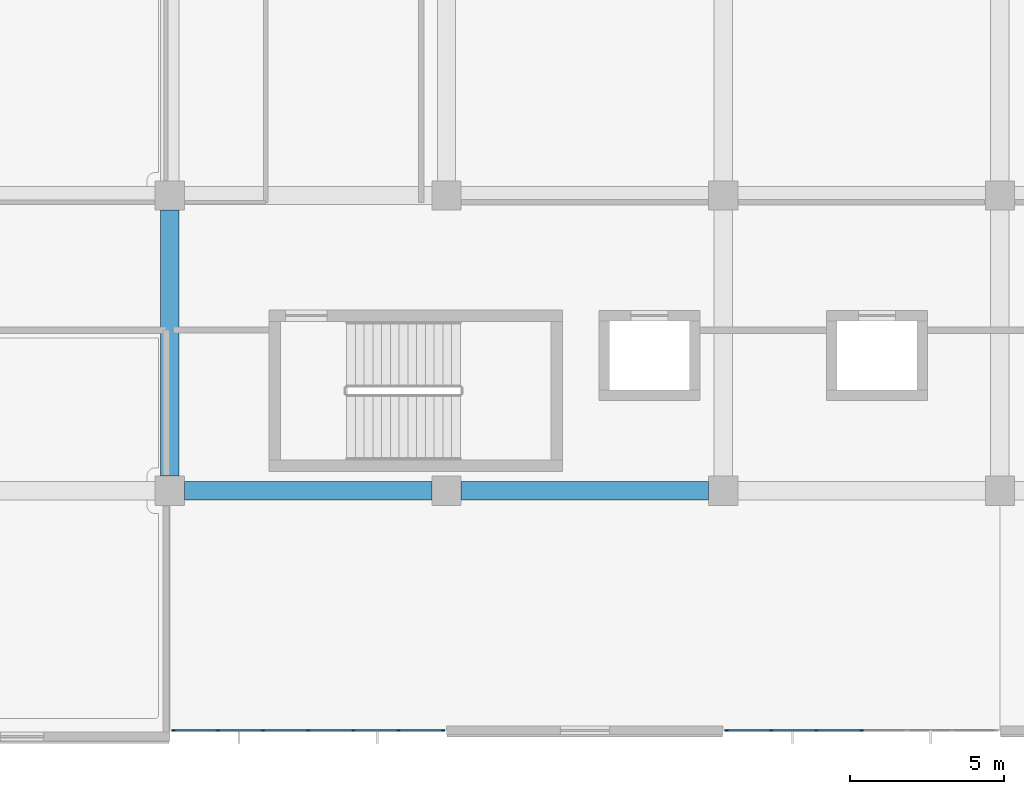
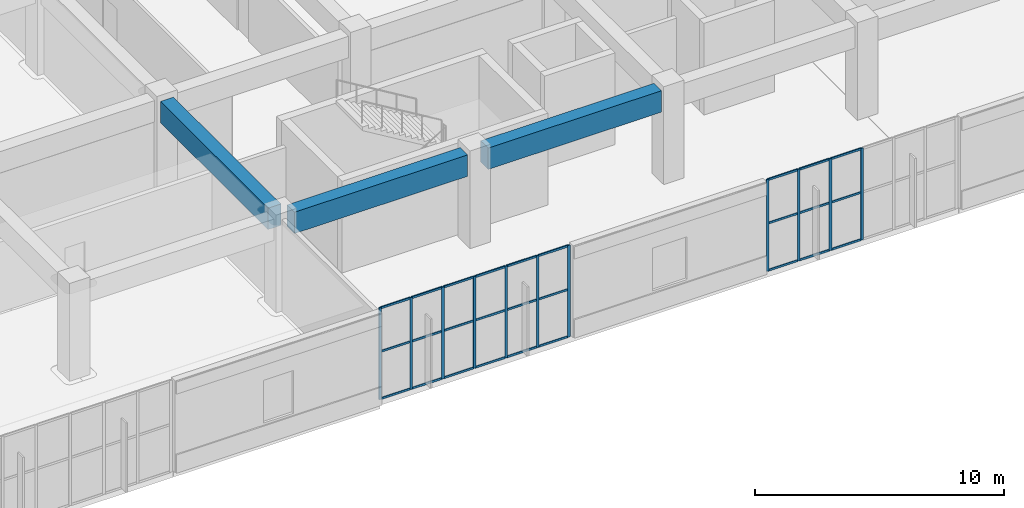
# One storey, part 18 of 86: 38 members, 3 beams, 2 elements without a shape of their own.
"""IFC4 building model written with IfcOpenShell, lengths in metres."""

import ifcopenshell
import ifcopenshell.guid

model = None  # the IFC model being written
_history = None  # IfcOwnerHistory: only IFC2X3 demands one
_inside = {}  # id of a spatial element -> (the spatial element, [elements in it])
_under = {}  # id of a project, library or spatial element -> (it, [spatial elements below it])
_declared = {}  # id of a project -> (the project, [libraries it declares])
_typed = {}  # id of a type object -> (the type object, [elements of that type])
_made_of = {}  # id of a material, layer set ... -> (it, [elements and type objects made of it])


def new_model(schema):
    """Start an empty IFC model of exactly this schema.

    Asked for "IFC4X3", IfcOpenShell would pick the latest addendum, in which some entities
    have other attributes; the version numbers below select the first issue.
    IFC2X3 requires an IfcOwnerHistory on every rooted entity: one is made here for all.
    """
    global model, _history
    if schema == "IFC4X3":
        model = ifcopenshell.file(schema_version=(4, 3, 0, 0))
    else:
        model = ifcopenshell.file(schema=schema)
    _inside.clear()
    _under.clear()
    _declared.clear()
    _typed.clear()
    _made_of.clear()
    _history = None
    if model.schema == "IFC2X3":
        org = make("IfcOrganization", Name="unknown")
        user = make(
            "IfcPersonAndOrganization",
            ThePerson=make("IfcPerson", FamilyName="unknown"),
            TheOrganization=org,
        )
        app = make(
            "IfcApplication",
            ApplicationDeveloper=org,
            Version="unknown",
            ApplicationFullName="unknown",
            ApplicationIdentifier="unknown",
        )
        _history = make(
            "IfcOwnerHistory",
            OwningUser=user,
            OwningApplication=app,
            ChangeAction="ADDED",
            CreationDate=0,
        )
    return model


def make(cls, **values):
    """One entity of the class cls with the attributes given. An attribute that is None is left unset."""
    return model.create_entity(
        cls, **{name: value for name, value in values.items() if value is not None}
    )


def rooted(cls, **values):
    """An entity with a GlobalId (a new one), such as an element, a storey or a relation."""
    return make(cls, GlobalId=ifcopenshell.guid.new(), OwnerHistory=_history, **values)


def si_unit(unit_type, name, prefix=None):
    """IfcSIUnit, for example si_unit("LENGTHUNIT", "METRE", prefix="MILLI")."""
    return make("IfcSIUnit", UnitType=unit_type, Prefix=prefix, Name=name)


def assignment(units):
    """IfcUnitAssignment: the units of a project."""
    return None if units is None else make("IfcUnitAssignment", Units=units)


def point(xyz):
    """IfcCartesianPoint."""
    return None if xyz is None else make("IfcCartesianPoint", Coordinates=xyz)


def direction(xyz):
    """IfcDirection."""
    return None if xyz is None else make("IfcDirection", DirectionRatios=xyz)


def frame(location, z_axis=None, x_axis=None):
    """IfcAxis2Placement3D, a coordinate frame: its origin and axes. An axis left out is left unset."""
    return make(
        "IfcAxis2Placement3D",
        Location=point(location),
        Axis=direction(z_axis),
        RefDirection=direction(x_axis),
    )


def frame_2d(location, x_axis=None):
    """IfcAxis2Placement2D, a coordinate frame in the plane: its origin and x axis."""
    return make(
        "IfcAxis2Placement2D", Location=point(location), RefDirection=direction(x_axis)
    )


def origin():
    """The frame at (0, 0, 0) with its axes left unset."""
    return frame((0.0, 0.0, 0.0))


def origin_2d():
    """The frame at (0, 0) in the plane with its x axis left unset."""
    return frame_2d((0.0, 0.0))


def place(relative_to, where):
    """IfcLocalPlacement: puts the frame where relative to a parent placement (None: the world)."""
    return make(
        "IfcLocalPlacement", PlacementRelTo=relative_to, RelativePlacement=where
    )


def context(
    kind, dimensions, precision=None, world=None, true_north=None, identifier=None
):
    """IfcGeometricRepresentationContext, for example the 3D "Model" context."""
    return make(
        "IfcGeometricRepresentationContext",
        ContextIdentifier=identifier,
        ContextType=kind,
        CoordinateSpaceDimension=dimensions,
        Precision=precision,
        WorldCoordinateSystem=world,
        TrueNorth=true_north,
    )


def subcontext(parent, identifier, kind, view, scale=None):
    """IfcGeometricRepresentationSubContext, for example "Body" below "Model"."""
    return make(
        "IfcGeometricRepresentationSubContext",
        ContextIdentifier=identifier,
        ContextType=kind,
        ParentContext=parent,
        TargetScale=scale,
        TargetView=view,
    )


def project(units=None, contexts=None):
    """IfcProject with its units and contexts."""
    return rooted(
        "IfcProject",
        Name="project",
        RepresentationContexts=contexts,
        UnitsInContext=assignment(units),
    )


def spatial(cls, under=None, at=None, **own):
    """A site, building, storey or space (cls), placed at a placement, below another one or the project."""
    s = rooted(cls, ObjectPlacement=at, **own)
    if under is not None:
        _under.setdefault(under.id(), (under, []))[1].append(s)
    return s


def profile(cls, at=None, kind="AREA", **sizes):
    """A parametric profile (cls). Its sizes go by their IFC names, for example OverallWidth=200.0."""
    return make(cls, ProfileType=kind, Position=at, **sizes)


def rectangle(**sizes):
    """IfcRectangleProfileDef."""
    return profile("IfcRectangleProfileDef", **sizes)


def extrude(swept, where, along, depth):
    """IfcExtrudedAreaSolid: the profile swept, set in the frame where, extruded along a direction by depth."""
    return make(
        "IfcExtrudedAreaSolid",
        SweptArea=swept,
        Position=where,
        ExtrudedDirection=direction(along),
        Depth=depth,
    )


def shape(context_of_items, identifier, shape_type, items):
    """IfcShapeRepresentation: the items that make up one representation, for example the "Body"."""
    return make(
        "IfcShapeRepresentation",
        ContextOfItems=context_of_items,
        RepresentationIdentifier=identifier,
        RepresentationType=shape_type,
        Items=items,
    )


def material(Name=None, Category=None):
    """IfcMaterial."""
    return make("IfcMaterial", Name=Name, Category=Category)


def layer(
    of_material, thickness, ventilated=None, Name=None, Category=None, Priority=None
):
    """IfcMaterialLayer: one layer of a wall or slab, of a material (None: an air gap)."""
    return make(
        "IfcMaterialLayer",
        Material=of_material,
        LayerThickness=thickness,
        IsVentilated=ventilated,
        Name=Name,
        Category=Category,
        Priority=Priority,
    )


def layer_set(layers, Name=None):
    """IfcMaterialLayerSet."""
    return make("IfcMaterialLayerSet", MaterialLayers=layers, LayerSetName=Name)


def material_profile(
    of_material, cross_section, Name=None, Category=None, Priority=None
):
    """IfcMaterialProfile: a cross section and its material."""
    return make(
        "IfcMaterialProfile",
        Name=Name,
        Material=of_material,
        Profile=cross_section,
        Priority=Priority,
        Category=Category,
    )


def profile_set(profiles, Name=None, composite=None):
    """IfcMaterialProfileSet."""
    return make(
        "IfcMaterialProfileSet",
        Name=Name,
        MaterialProfiles=profiles,
        CompositeProfile=composite,
    )


def made_of(thing, what):
    """Note that an element or type object is made of a material, layer set ...; save() writes the relation."""
    if what is not None:
        _made_of.setdefault(what.id(), (what, []))[1].append(thing)
    return thing


def type_object(cls, material=None, **own):
    """A type object (cls), such as IfcWallType, which elements share."""
    return made_of(rooted(cls, **own), material)


def element(
    cls,
    number,
    at=None,
    inside=None,
    cuts=None,
    type_object=None,
    material=None,
    context=None,
    identifier="Body",
    shape_type=None,
    held_by="IfcProductDefinitionShape",
    body=None,
    shapes=None,
    **own,
):
    """One element of the class cls, such as IfcWall. Its Tag is "e" and its number.

    at: its placement. inside: the storey or other place that contains it. cuts: it is an
    opening in that element (IfcRelVoidsElement). A single representation is given by context,
    identifier, shape_type and body (its items); several are given by shapes. held_by: the class
    of the entity that holds the representations. save() writes the other relations.
    """
    e = rooted(cls, Tag="e%d" % number, ObjectPlacement=at, **own)
    if body is not None:
        shapes = [shape(context, identifier, shape_type, body)]
    if shapes is not None:
        e.Representation = make(held_by, Representations=shapes)
    if inside is not None:
        _inside.setdefault(inside.id(), (inside, []))[1].append(e)
    if cuts is not None:
        rooted(
            "IfcRelVoidsElement", RelatingBuildingElement=cuts, RelatedOpeningElement=e
        )
    if type_object is not None:
        _typed.setdefault(type_object.id(), (type_object, []))[1].append(e)
    return made_of(e, material)


def aggregate(whole, parts):
    """IfcRelAggregates: a whole, such as a stair, and the parts it consists of."""
    return rooted("IfcRelAggregates", RelatingObject=whole, RelatedObjects=parts)


def save(model, path):
    """Write the relations noted so far, then the file.

    IfcRelAggregates (storeys below a building ...), IfcRelContainedInSpatialStructure (elements
    in a storey), IfcRelDefinesByType, IfcRelAssociatesMaterial and IfcRelDeclares: one each for
    every whole, place, type object, material and project.
    """
    for whole, parts in _under.values():
        aggregate(whole, parts)
    for where, things in _inside.values():
        rooted(
            "IfcRelContainedInSpatialStructure",
            RelatedElements=things,
            RelatingStructure=where,
        )
    for kind, things in _typed.values():
        rooted("IfcRelDefinesByType", RelatedObjects=things, RelatingType=kind)
    for what, things in _made_of.values():
        rooted("IfcRelAssociatesMaterial", RelatedObjects=things, RelatingMaterial=what)
    for by, libraries in _declared.values():
        rooted("IfcRelDeclares", RelatingContext=by, RelatedDefinitions=libraries)
    model.write(path)


model = new_model("IFC4")

# Units and contexts
model_context = context("Model", 3, precision=1e-05, world=origin(), true_north=direction((0.0, 1.0)))
body_context = subcontext(model_context, "Body", "Model", "MODEL_VIEW")
ifc_project = project(units=[si_unit("LENGTHUNIT", "METRE"), si_unit("AREAUNIT", "SQUARE_METRE"), si_unit("VOLUMEUNIT", "CUBIC_METRE"), si_unit("PLANEANGLEUNIT", "RADIAN"), si_unit("MASSUNIT", "GRAM", prefix="KILO")], contexts=[model_context])

# Site, building, storey
site_placement = place(None, origin())
site = spatial("IfcSite", under=ifc_project, at=site_placement, CompositionType="ELEMENT")
building_placement = place(site_placement, origin())
building = spatial("IfcBuilding", under=site, at=building_placement, Name="Cendralis Terraced Arcade", CompositionType="ELEMENT")
storey_placement = place(building_placement, frame((0.0, 0.0, 5.39990234375)))
storey = spatial("IfcBuildingStorey", under=building, at=storey_placement, Name="L01", CompositionType="ELEMENT", Elevation=5.39990234375)

# Beams
ifc_material_1 = material(Name="Concrete f'c 35 MPa", Category="concrete")
ifc_material_profile_1 = material_profile(ifc_material_1, rectangle(XDim=0.60009765625, YDim=1.050048828125, at=origin_2d()), Name="RC-BM-600x1050", Category="LoadBearing")
ifc_profile_set_1 = profile_set([ifc_material_profile_1], Name="Concrete f'c 35 MPa")
beam_type = type_object("IfcBeamType", Name="BM-600x1050", PredefinedType="JOIST", material=ifc_profile_set_1)
for number, where, z_axis, x_axis, name in (
    (1, (67.675048828125, 9.60009765625, 3.97998046875), (1.0, 0.0, 0.0), (0.0, 1.0, 0.0), "Reinforced Concrete Frame Beam BM-X-L02-B-8_9"),
    (2, (76.675048828125, 9.60009765625, 3.97998046875), (1.0, 0.0, 0.0), (0.0, 1.0, 0.0), "Reinforced Concrete Frame Beam BM-X-L02-B-9_10"),
):
    element("IfcBeam", number, at=place(storey_placement, frame(where, z_axis=z_axis, x_axis=x_axis)), inside=storey, type_object=beam_type, Name=name, PredefinedType="JOIST", context=body_context, shape_type="SweptSolid", body=[
        extrude(rectangle(XDim=0.60009765625, YDim=1.050048828125, at=origin_2d()), origin(), (0.0, 0.0, 1.0), 8.050048828125),
    ])
beam_placement = place(storey_placement, frame((67.199951171875, 10.074951171875, 3.97998046875), z_axis=(0.0, 1.0, 0.0), x_axis=(-1.0, 0.0, 0.0)))
element("IfcBeam", 3, at=beam_placement, inside=storey, type_object=beam_type, Name="Reinforced Concrete Frame Beam BM-Y-L02-8-B_C", PredefinedType="JOIST", context=body_context, shape_type="SweptSolid", body=[
    extrude(rectangle(XDim=0.60009765625, YDim=1.050048828125, at=origin_2d()), origin(), (0.0, 0.0, 1.0), 8.650146484375),
])

# Curtain wall, members
ifc_material_2 = material(Name="Anodised aluminium EN AW-6063 T6", Category="aluminium")
ifc_layer = layer(ifc_material_2, 0.1201171875, Name="CW-STORE-B")
ifc_layer_set = layer_set([ifc_layer], Name="Anodised aluminium EN AW-6063 T6")
curtain_wall_type = type_object("IfcCurtainWallType", Name="CW-STORE-B", PredefinedType="USERDEFINED", material=ifc_layer_set)
curtain_wall_1_placement = place(storey_placement, origin())
curtain_wall_1 = element("IfcCurtainWall", 4, at=curtain_wall_1_placement, inside=storey, type_object=curtain_wall_type, Name="Exterior Storefront Glazing CW-L01-0091", ObjectType="STOREFRONT GLAZING", PredefinedType="USERDEFINED")
ifc_material_profile_2 = material_profile(ifc_material_2, rectangle(XDim=0.054931640625, YDim=0.1201171875, at=origin_2d()), Name="ALU-MUL-55x120")
ifc_profile_set_2 = profile_set([ifc_material_profile_2], Name="Anodised aluminium EN AW-6063 T6")
member_type_1 = type_object("IfcMemberType", Name="CW-STORE-B-MUL", PredefinedType="MULLION", material=ifc_profile_set_2)
member_1_placement = place(storey_placement, frame((89.699951171875, 1.800048828125, 0.0), z_axis=(0.0, 0.0, 1.0), x_axis=(0.0, -1.0, 0.0)))
member_1 = element("IfcMember", 5, at=member_1_placement, type_object=member_type_1, Name="CW-S2 mullion 4", PredefinedType="MULLION", context=body_context, shape_type="SweptSolid", body=[
    extrude(rectangle(XDim=0.054931640625, YDim=0.1201171875, at=origin_2d()), origin(), (0.0, 0.0, 1.0), 4.505126953125),
])
member_2_placement = place(storey_placement, frame((88.22998046875, 1.800048828125, 0.0), z_axis=(0.0, 0.0, 1.0), x_axis=(0.0, -1.0, 0.0)))
member_2 = element("IfcMember", 6, at=member_2_placement, type_object=member_type_1, Name="CW-S2 mullion 5", PredefinedType="MULLION", context=body_context, shape_type="SweptSolid", body=[
    extrude(rectangle(XDim=0.054931640625, YDim=0.1201171875, at=origin_2d()), origin(), (0.0, 0.0, 1.0), 4.505126953125),
])
member_3_placement = place(storey_placement, frame((86.760009765625, 1.800048828125, 0.0), z_axis=(0.0, 0.0, 1.0), x_axis=(0.0, -1.0, 0.0)))
member_3 = element("IfcMember", 7, at=member_3_placement, type_object=member_type_1, Name="CW-S2 mullion 6", PredefinedType="MULLION", context=body_context, shape_type="SweptSolid", body=[
    extrude(rectangle(XDim=0.054931640625, YDim=0.1201171875, at=origin_2d()), origin(), (0.0, 0.0, 1.0), 4.505126953125),
])
member_4_placement = place(storey_placement, frame((85.3173828125, 1.800048828125, 0.0), z_axis=(0.0, 0.0, 1.0), x_axis=(0.0, -1.0, 0.0)))
member_4 = element("IfcMember", 8, at=member_4_placement, type_object=member_type_1, Name="CW-S2 mullion 7", PredefinedType="MULLION", context=body_context, shape_type="SweptSolid", body=[
    extrude(rectangle(XDim=0.054931640625, YDim=0.1201171875, at=origin_2d()), origin(), (0.0, 0.0, 1.0), 4.505126953125),
])

curtain_wall_2_placement = place(storey_placement, origin())
curtain_wall_2 = element("IfcCurtainWall", 9, at=curtain_wall_2_placement, inside=storey, type_object=curtain_wall_type, Name="Exterior Storefront Glazing CW-L01-0092", ObjectType="STOREFRONT GLAZING", PredefinedType="USERDEFINED")
member_5_placement = place(storey_placement, frame((76.08251953125, 1.800048828125, 0.0), z_axis=(0.0, 0.0, 1.0), x_axis=(0.0, -1.0, 0.0)))
member_5 = element("IfcMember", 10, at=member_5_placement, type_object=member_type_1, Name="CW-S2 mullion 1", PredefinedType="MULLION", context=body_context, shape_type="SweptSolid", body=[
    extrude(rectangle(XDim=0.054931640625, YDim=0.1201171875, at=origin_2d()), origin(), (0.0, 0.0, 1.0), 4.505126953125),
])
member_6_placement = place(storey_placement, frame((74.639892578125, 1.800048828125, 0.0), z_axis=(0.0, 0.0, 1.0), x_axis=(0.0, -1.0, 0.0)))
member_6 = element("IfcMember", 11, at=member_6_placement, type_object=member_type_1, Name="CW-S2 mullion 2", PredefinedType="MULLION", context=body_context, shape_type="SweptSolid", body=[
    extrude(rectangle(XDim=0.054931640625, YDim=0.1201171875, at=origin_2d()), origin(), (0.0, 0.0, 1.0), 4.505126953125),
])
member_7_placement = place(storey_placement, frame((73.169921875, 1.800048828125, 0.0), z_axis=(0.0, 0.0, 1.0), x_axis=(0.0, -1.0, 0.0)))
member_7 = element("IfcMember", 12, at=member_7_placement, type_object=member_type_1, Name="CW-S2 mullion 3", PredefinedType="MULLION", context=body_context, shape_type="SweptSolid", body=[
    extrude(rectangle(XDim=0.054931640625, YDim=0.1201171875, at=origin_2d()), origin(), (0.0, 0.0, 1.0), 4.505126953125),
])
member_8_placement = place(storey_placement, frame((71.699951171875, 1.800048828125, 0.0), z_axis=(0.0, 0.0, 1.0), x_axis=(0.0, -1.0, 0.0)))
member_8 = element("IfcMember", 13, at=member_8_placement, type_object=member_type_1, Name="CW-S2 mullion 4", PredefinedType="MULLION", context=body_context, shape_type="SweptSolid", body=[
    extrude(rectangle(XDim=0.054931640625, YDim=0.1201171875, at=origin_2d()), origin(), (0.0, 0.0, 1.0), 4.505126953125),
])
member_9_placement = place(storey_placement, frame((70.22998046875, 1.800048828125, 0.0), z_axis=(0.0, 0.0, 1.0), x_axis=(0.0, -1.0, 0.0)))
member_9 = element("IfcMember", 14, at=member_9_placement, type_object=member_type_1, Name="CW-S2 mullion 5", PredefinedType="MULLION", context=body_context, shape_type="SweptSolid", body=[
    extrude(rectangle(XDim=0.054931640625, YDim=0.1201171875, at=origin_2d()), origin(), (0.0, 0.0, 1.0), 4.505126953125),
])
member_10_placement = place(storey_placement, frame((68.760009765625, 1.800048828125, 0.0), z_axis=(0.0, 0.0, 1.0), x_axis=(0.0, -1.0, 0.0)))
member_10 = element("IfcMember", 15, at=member_10_placement, type_object=member_type_1, Name="CW-S2 mullion 6", PredefinedType="MULLION", context=body_context, shape_type="SweptSolid", body=[
    extrude(rectangle(XDim=0.054931640625, YDim=0.1201171875, at=origin_2d()), origin(), (0.0, 0.0, 1.0), 4.505126953125),
])
member_11_placement = place(storey_placement, frame((67.3173828125, 1.800048828125, 0.0), z_axis=(0.0, 0.0, 1.0), x_axis=(0.0, -1.0, 0.0)))
member_11 = element("IfcMember", 16, at=member_11_placement, type_object=member_type_1, Name="CW-S2 mullion 7", PredefinedType="MULLION", context=body_context, shape_type="SweptSolid", body=[
    extrude(rectangle(XDim=0.054931640625, YDim=0.1201171875, at=origin_2d()), origin(), (0.0, 0.0, 1.0), 4.505126953125),
])

# Member
ifc_material_profile_3 = material_profile(ifc_material_2, rectangle(XDim=0.054931640625, YDim=0.10009765625, at=origin_2d()), Name="ALU-TRN-55x100")
ifc_profile_set_3 = profile_set([ifc_material_profile_3], Name="Anodised aluminium EN AW-6063 T6")
member_type_2 = type_object("IfcMemberType", Name="CW-STORE-B-TRN", PredefinedType="USERDEFINED", material=ifc_profile_set_3)
member_12_placement = place(storey_placement, frame((89.672607421875, 1.800048828125, 0.027587890625), z_axis=(-1.0, 0.0, 0.0), x_axis=(0.0, -1.0, 0.0)))
member_12 = element("IfcMember", 17, at=member_12_placement, type_object=member_type_2, Name="CW-S2 transom 4.1", ObjectType="TRANSOM", PredefinedType="USERDEFINED", context=body_context, shape_type="SweptSolid", body=[
    extrude(rectangle(XDim=0.054931640625, YDim=0.10009765625, at=origin_2d()), origin(), (0.0, 0.0, 1.0), 1.4150390625),
])

member_13_placement = place(storey_placement, frame((89.672607421875, 1.800048828125, 2.3427734375), z_axis=(-1.0, 0.0, 0.0), x_axis=(0.0, -1.0, 0.0)))
member_13 = element("IfcMember", 18, at=member_13_placement, type_object=member_type_2, Name="CW-S2 transom 4.2", ObjectType="TRANSOM", PredefinedType="USERDEFINED", context=body_context, shape_type="SweptSolid", body=[
    extrude(rectangle(XDim=0.054931640625, YDim=0.10009765625, at=origin_2d()), origin(), (0.0, 0.0, 1.0), 1.4150390625),
])

member_14_placement = place(storey_placement, frame((89.672607421875, 1.800048828125, 4.4775390625), z_axis=(-1.0, 0.0, 0.0), x_axis=(0.0, -1.0, 0.0)))
member_14 = element("IfcMember", 19, at=member_14_placement, type_object=member_type_2, Name="CW-S2 transom 4.3", ObjectType="TRANSOM", PredefinedType="USERDEFINED", context=body_context, shape_type="SweptSolid", body=[
    extrude(rectangle(XDim=0.054931640625, YDim=0.10009765625, at=origin_2d()), origin(), (0.0, 0.0, 1.0), 1.4150390625),
])

member_15_placement = place(storey_placement, frame((88.202392578125, 1.800048828125, 0.027587890625), z_axis=(-1.0, 0.0, 0.0), x_axis=(0.0, -1.0, 0.0)))
member_15 = element("IfcMember", 20, at=member_15_placement, type_object=member_type_2, Name="CW-S2 transom 5.1", ObjectType="TRANSOM", PredefinedType="USERDEFINED", context=body_context, shape_type="SweptSolid", body=[
    extrude(rectangle(XDim=0.054931640625, YDim=0.10009765625, at=origin_2d()), origin(), (0.0, 0.0, 1.0), 1.414794921875),
])

member_16_placement = place(storey_placement, frame((88.202392578125, 1.800048828125, 2.3427734375), z_axis=(-1.0, 0.0, 0.0), x_axis=(0.0, -1.0, 0.0)))
member_16 = element("IfcMember", 21, at=member_16_placement, type_object=member_type_2, Name="CW-S2 transom 5.2", ObjectType="TRANSOM", PredefinedType="USERDEFINED", context=body_context, shape_type="SweptSolid", body=[
    extrude(rectangle(XDim=0.054931640625, YDim=0.10009765625, at=origin_2d()), origin(), (0.0, 0.0, 1.0), 1.414794921875),
])

member_17_placement = place(storey_placement, frame((88.202392578125, 1.800048828125, 4.4775390625), z_axis=(-1.0, 0.0, 0.0), x_axis=(0.0, -1.0, 0.0)))
member_17 = element("IfcMember", 22, at=member_17_placement, type_object=member_type_2, Name="CW-S2 transom 5.3", ObjectType="TRANSOM", PredefinedType="USERDEFINED", context=body_context, shape_type="SweptSolid", body=[
    extrude(rectangle(XDim=0.054931640625, YDim=0.10009765625, at=origin_2d()), origin(), (0.0, 0.0, 1.0), 1.414794921875),
])

member_18_placement = place(storey_placement, frame((86.732421875, 1.800048828125, 0.027587890625), z_axis=(-1.0, 0.0, 0.0), x_axis=(0.0, -1.0, 0.0)))
member_18 = element("IfcMember", 23, at=member_18_placement, type_object=member_type_2, Name="CW-S2 transom 6.1", ObjectType="TRANSOM", PredefinedType="USERDEFINED", context=body_context, shape_type="SweptSolid", body=[
    extrude(rectangle(XDim=0.054931640625, YDim=0.10009765625, at=origin_2d()), origin(), (0.0, 0.0, 1.0), 1.387451171875),
])

member_19_placement = place(storey_placement, frame((86.732421875, 1.800048828125, 2.3427734375), z_axis=(-1.0, 0.0, 0.0), x_axis=(0.0, -1.0, 0.0)))
member_19 = element("IfcMember", 24, at=member_19_placement, type_object=member_type_2, Name="CW-S2 transom 6.2", ObjectType="TRANSOM", PredefinedType="USERDEFINED", context=body_context, shape_type="SweptSolid", body=[
    extrude(rectangle(XDim=0.054931640625, YDim=0.10009765625, at=origin_2d()), origin(), (0.0, 0.0, 1.0), 1.387451171875),
])

member_20_placement = place(storey_placement, frame((86.732421875, 1.800048828125, 4.4775390625), z_axis=(-1.0, 0.0, 0.0), x_axis=(0.0, -1.0, 0.0)))
member_20 = element("IfcMember", 25, at=member_20_placement, type_object=member_type_2, Name="CW-S2 transom 6.3", ObjectType="TRANSOM", PredefinedType="USERDEFINED", context=body_context, shape_type="SweptSolid", body=[
    extrude(rectangle(XDim=0.054931640625, YDim=0.10009765625, at=origin_2d()), origin(), (0.0, 0.0, 1.0), 1.387451171875),
])

aggregate(curtain_wall_1, [member_1, member_2, member_3, member_4, member_12, member_13, member_14, member_15, member_16, member_17, member_18, member_19, member_20])

member_21_placement = place(storey_placement, frame((76.054931640625, 1.800048828125, 0.027587890625), z_axis=(-1.0, 0.0, 0.0), x_axis=(0.0, -1.0, 0.0)))
member_21 = element("IfcMember", 26, at=member_21_placement, type_object=member_type_2, Name="CW-S2 transom 1.1", ObjectType="TRANSOM", PredefinedType="USERDEFINED", context=body_context, shape_type="SweptSolid", body=[
    extrude(rectangle(XDim=0.054931640625, YDim=0.10009765625, at=origin_2d()), origin(), (0.0, 0.0, 1.0), 1.387451171875),
])

member_22_placement = place(storey_placement, frame((76.054931640625, 1.800048828125, 2.3427734375), z_axis=(-1.0, 0.0, 0.0), x_axis=(0.0, -1.0, 0.0)))
member_22 = element("IfcMember", 27, at=member_22_placement, type_object=member_type_2, Name="CW-S2 transom 1.2", ObjectType="TRANSOM", PredefinedType="USERDEFINED", context=body_context, shape_type="SweptSolid", body=[
    extrude(rectangle(XDim=0.054931640625, YDim=0.10009765625, at=origin_2d()), origin(), (0.0, 0.0, 1.0), 1.387451171875),
])

member_23_placement = place(storey_placement, frame((76.054931640625, 1.800048828125, 4.4775390625), z_axis=(-1.0, 0.0, 0.0), x_axis=(0.0, -1.0, 0.0)))
member_23 = element("IfcMember", 28, at=member_23_placement, type_object=member_type_2, Name="CW-S2 transom 1.3", ObjectType="TRANSOM", PredefinedType="USERDEFINED", context=body_context, shape_type="SweptSolid", body=[
    extrude(rectangle(XDim=0.054931640625, YDim=0.10009765625, at=origin_2d()), origin(), (0.0, 0.0, 1.0), 1.387451171875),
])

member_24_placement = place(storey_placement, frame((74.612548828125, 1.800048828125, 0.027587890625), z_axis=(-1.0, 0.0, 0.0), x_axis=(0.0, -1.0, 0.0)))
member_24 = element("IfcMember", 29, at=member_24_placement, type_object=member_type_2, Name="CW-S2 transom 2.1", ObjectType="TRANSOM", PredefinedType="USERDEFINED", context=body_context, shape_type="SweptSolid", body=[
    extrude(rectangle(XDim=0.054931640625, YDim=0.10009765625, at=origin_2d()), origin(), (0.0, 0.0, 1.0), 1.4150390625),
])

member_25_placement = place(storey_placement, frame((74.612548828125, 1.800048828125, 2.3427734375), z_axis=(-1.0, 0.0, 0.0), x_axis=(0.0, -1.0, 0.0)))
member_25 = element("IfcMember", 30, at=member_25_placement, type_object=member_type_2, Name="CW-S2 transom 2.2", ObjectType="TRANSOM", PredefinedType="USERDEFINED", context=body_context, shape_type="SweptSolid", body=[
    extrude(rectangle(XDim=0.054931640625, YDim=0.10009765625, at=origin_2d()), origin(), (0.0, 0.0, 1.0), 1.4150390625),
])

member_26_placement = place(storey_placement, frame((74.612548828125, 1.800048828125, 4.4775390625), z_axis=(-1.0, 0.0, 0.0), x_axis=(0.0, -1.0, 0.0)))
member_26 = element("IfcMember", 31, at=member_26_placement, type_object=member_type_2, Name="CW-S2 transom 2.3", ObjectType="TRANSOM", PredefinedType="USERDEFINED", context=body_context, shape_type="SweptSolid", body=[
    extrude(rectangle(XDim=0.054931640625, YDim=0.10009765625, at=origin_2d()), origin(), (0.0, 0.0, 1.0), 1.4150390625),
])

member_27_placement = place(storey_placement, frame((73.142578125, 1.800048828125, 0.027587890625), z_axis=(-1.0, 0.0, 0.0), x_axis=(0.0, -1.0, 0.0)))
member_27 = element("IfcMember", 32, at=member_27_placement, type_object=member_type_2, Name="CW-S2 transom 3.1", ObjectType="TRANSOM", PredefinedType="USERDEFINED", context=body_context, shape_type="SweptSolid", body=[
    extrude(rectangle(XDim=0.054931640625, YDim=0.10009765625, at=origin_2d()), origin(), (0.0, 0.0, 1.0), 1.4150390625),
])

member_28_placement = place(storey_placement, frame((73.142578125, 1.800048828125, 2.3427734375), z_axis=(-1.0, 0.0, 0.0), x_axis=(0.0, -1.0, 0.0)))
member_28 = element("IfcMember", 33, at=member_28_placement, type_object=member_type_2, Name="CW-S2 transom 3.2", ObjectType="TRANSOM", PredefinedType="USERDEFINED", context=body_context, shape_type="SweptSolid", body=[
    extrude(rectangle(XDim=0.054931640625, YDim=0.10009765625, at=origin_2d()), origin(), (0.0, 0.0, 1.0), 1.4150390625),
])

member_29_placement = place(storey_placement, frame((73.142578125, 1.800048828125, 4.4775390625), z_axis=(-1.0, 0.0, 0.0), x_axis=(0.0, -1.0, 0.0)))
member_29 = element("IfcMember", 34, at=member_29_placement, type_object=member_type_2, Name="CW-S2 transom 3.3", ObjectType="TRANSOM", PredefinedType="USERDEFINED", context=body_context, shape_type="SweptSolid", body=[
    extrude(rectangle(XDim=0.054931640625, YDim=0.10009765625, at=origin_2d()), origin(), (0.0, 0.0, 1.0), 1.4150390625),
])

member_30_placement = place(storey_placement, frame((71.672607421875, 1.800048828125, 0.027587890625), z_axis=(-1.0, 0.0, 0.0), x_axis=(0.0, -1.0, 0.0)))
member_30 = element("IfcMember", 35, at=member_30_placement, type_object=member_type_2, Name="CW-S2 transom 4.1", ObjectType="TRANSOM", PredefinedType="USERDEFINED", context=body_context, shape_type="SweptSolid", body=[
    extrude(rectangle(XDim=0.054931640625, YDim=0.10009765625, at=origin_2d()), origin(), (0.0, 0.0, 1.0), 1.4150390625),
])

member_31_placement = place(storey_placement, frame((71.672607421875, 1.800048828125, 2.3427734375), z_axis=(-1.0, 0.0, 0.0), x_axis=(0.0, -1.0, 0.0)))
member_31 = element("IfcMember", 36, at=member_31_placement, type_object=member_type_2, Name="CW-S2 transom 4.2", ObjectType="TRANSOM", PredefinedType="USERDEFINED", context=body_context, shape_type="SweptSolid", body=[
    extrude(rectangle(XDim=0.054931640625, YDim=0.10009765625, at=origin_2d()), origin(), (0.0, 0.0, 1.0), 1.4150390625),
])

member_32_placement = place(storey_placement, frame((71.672607421875, 1.800048828125, 4.4775390625), z_axis=(-1.0, 0.0, 0.0), x_axis=(0.0, -1.0, 0.0)))
member_32 = element("IfcMember", 37, at=member_32_placement, type_object=member_type_2, Name="CW-S2 transom 4.3", ObjectType="TRANSOM", PredefinedType="USERDEFINED", context=body_context, shape_type="SweptSolid", body=[
    extrude(rectangle(XDim=0.054931640625, YDim=0.10009765625, at=origin_2d()), origin(), (0.0, 0.0, 1.0), 1.4150390625),
])

member_33_placement = place(storey_placement, frame((70.202392578125, 1.800048828125, 0.027587890625), z_axis=(-1.0, 0.0, 0.0), x_axis=(0.0, -1.0, 0.0)))
member_33 = element("IfcMember", 38, at=member_33_placement, type_object=member_type_2, Name="CW-S2 transom 5.1", ObjectType="TRANSOM", PredefinedType="USERDEFINED", context=body_context, shape_type="SweptSolid", body=[
    extrude(rectangle(XDim=0.054931640625, YDim=0.10009765625, at=origin_2d()), origin(), (0.0, 0.0, 1.0), 1.414794921875),
])

member_34_placement = place(storey_placement, frame((70.202392578125, 1.800048828125, 2.3427734375), z_axis=(-1.0, 0.0, 0.0), x_axis=(0.0, -1.0, 0.0)))
member_34 = element("IfcMember", 39, at=member_34_placement, type_object=member_type_2, Name="CW-S2 transom 5.2", ObjectType="TRANSOM", PredefinedType="USERDEFINED", context=body_context, shape_type="SweptSolid", body=[
    extrude(rectangle(XDim=0.054931640625, YDim=0.10009765625, at=origin_2d()), origin(), (0.0, 0.0, 1.0), 1.414794921875),
])

member_35_placement = place(storey_placement, frame((70.202392578125, 1.800048828125, 4.4775390625), z_axis=(-1.0, 0.0, 0.0), x_axis=(0.0, -1.0, 0.0)))
member_35 = element("IfcMember", 40, at=member_35_placement, type_object=member_type_2, Name="CW-S2 transom 5.3", ObjectType="TRANSOM", PredefinedType="USERDEFINED", context=body_context, shape_type="SweptSolid", body=[
    extrude(rectangle(XDim=0.054931640625, YDim=0.10009765625, at=origin_2d()), origin(), (0.0, 0.0, 1.0), 1.414794921875),
])

member_36_placement = place(storey_placement, frame((68.732421875, 1.800048828125, 0.027587890625), z_axis=(-1.0, 0.0, 0.0), x_axis=(0.0, -1.0, 0.0)))
member_36 = element("IfcMember", 41, at=member_36_placement, type_object=member_type_2, Name="CW-S2 transom 6.1", ObjectType="TRANSOM", PredefinedType="USERDEFINED", context=body_context, shape_type="SweptSolid", body=[
    extrude(rectangle(XDim=0.054931640625, YDim=0.10009765625, at=origin_2d()), origin(), (0.0, 0.0, 1.0), 1.387451171875),
])

member_37_placement = place(storey_placement, frame((68.732421875, 1.800048828125, 2.3427734375), z_axis=(-1.0, 0.0, 0.0), x_axis=(0.0, -1.0, 0.0)))
member_37 = element("IfcMember", 42, at=member_37_placement, type_object=member_type_2, Name="CW-S2 transom 6.2", ObjectType="TRANSOM", PredefinedType="USERDEFINED", context=body_context, shape_type="SweptSolid", body=[
    extrude(rectangle(XDim=0.054931640625, YDim=0.10009765625, at=origin_2d()), origin(), (0.0, 0.0, 1.0), 1.387451171875),
])

member_38_placement = place(storey_placement, frame((68.732421875, 1.800048828125, 4.4775390625), z_axis=(-1.0, 0.0, 0.0), x_axis=(0.0, -1.0, 0.0)))
member_38 = element("IfcMember", 43, at=member_38_placement, type_object=member_type_2, Name="CW-S2 transom 6.3", ObjectType="TRANSOM", PredefinedType="USERDEFINED", context=body_context, shape_type="SweptSolid", body=[
    extrude(rectangle(XDim=0.054931640625, YDim=0.10009765625, at=origin_2d()), origin(), (0.0, 0.0, 1.0), 1.387451171875),
])

aggregate(curtain_wall_2, [member_5, member_6, member_7, member_8, member_9, member_10, member_11, member_21, member_22, member_23, member_24, member_25, member_26, member_27, member_28, member_29, member_30, member_31, member_32, member_33, member_34, member_35, member_36, member_37, member_38])

save(model, "model.ifc")
